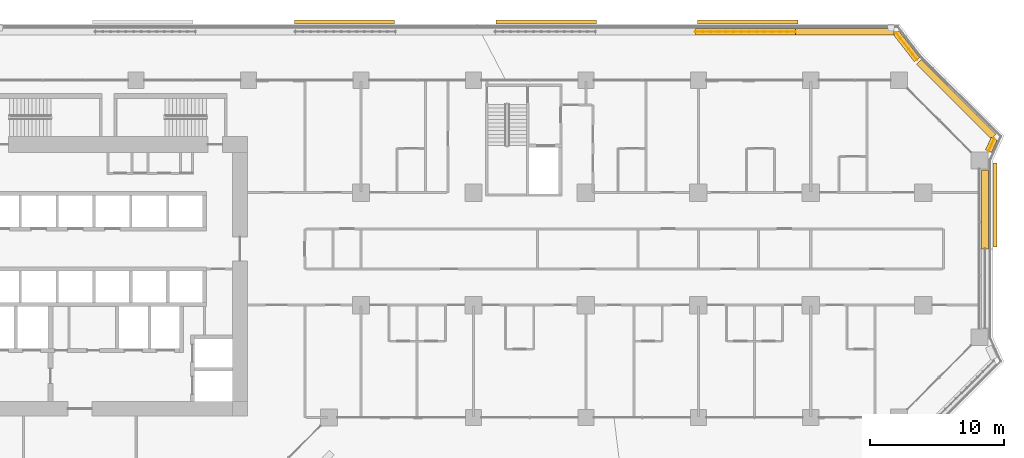
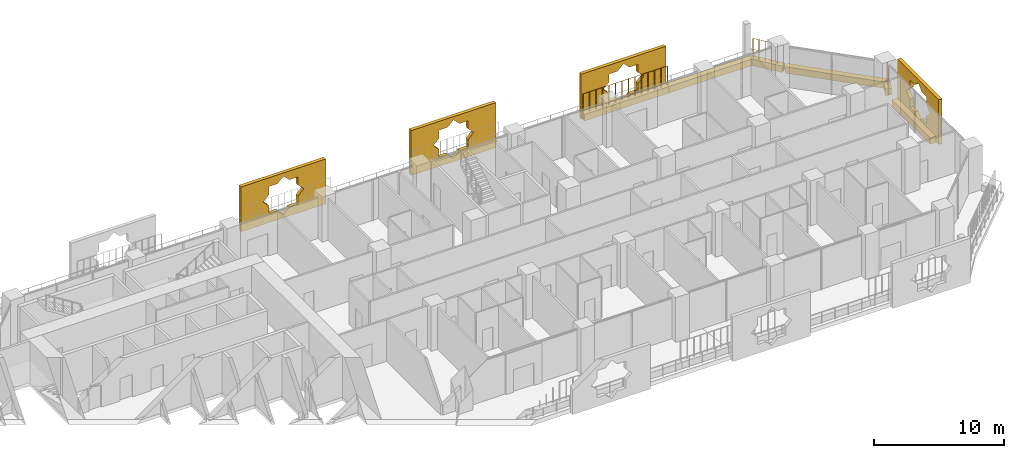
# One storey, part 29 of 29: 10 coverings, 3 railings.
"""IFC4 building model written with IfcOpenShell, lengths in metres."""

from ifc_helpers import new_model, si_unit, direction, frame, origin, origin_2d, place, context, subcontext, project, spatial, polyline, rectangle, circle, outline, extrude, material, material_profile, profile_set, type_object, element, save


model = new_model("IFC4")

# Units and contexts
model_context = context("Model", 3, precision=1e-05, world=origin(), true_north=direction((0.0, 1.0)))
body_context = subcontext(model_context, "Body", "Model", "MODEL_VIEW")
ifc_project = project(units=[si_unit("LENGTHUNIT", "METRE"), si_unit("AREAUNIT", "SQUARE_METRE"), si_unit("VOLUMEUNIT", "CUBIC_METRE"), si_unit("PLANEANGLEUNIT", "RADIAN"), si_unit("MASSUNIT", "GRAM", prefix="KILO")], contexts=[model_context])

# Site, building, storey
site_placement = place(None, origin())
site = spatial("IfcSite", under=ifc_project, at=site_placement, CompositionType="ELEMENT")
building_placement = place(site_placement, origin())
building = spatial("IfcBuilding", under=site, at=building_placement, Name="Kawkab Arch Medical Tower", CompositionType="ELEMENT")
storey_placement = place(building_placement, frame((0.0, 0.0, 64.39990234375)))
storey = spatial("IfcBuildingStorey", under=building, at=storey_placement, Name="L14", CompositionType="ELEMENT", Elevation=64.39990234375)

# Coverings
ifc_material_1 = material(Name="Bronze anodised aluminium mashrabiya panel, eight-point star pattern", Category="aluminium")
ifc_material_profile_1 = material_profile(ifc_material_1, outline(polyline([(-3.14990234375, -2.10009765625), (3.14990234375, -2.10009765625), (3.14990234375, 2.10009765625), (-3.14990234375, 2.10009765625), (-3.14990234375, -2.10009765625)]), holes=[polyline([(1.800048828125, 0.0), (1.272705078125, 0.527099609375), (1.272705078125, 1.272705078125), (0.527099609375, 1.272705078125), (0.0, 1.800048828125), (-0.527099609375, 1.272705078125), (-1.272705078125, 1.272705078125), (-1.272705078125, 0.527099609375), (-1.800048828125, 0.0), (-1.272705078125, -0.527099609375), (-1.272705078125, -1.272705078125), (-0.527099609375, -1.272705078125), (0.0, -1.800048828125), (0.527099609375, -1.272705078125), (1.272705078125, -1.272705078125), (1.272705078125, -0.527099609375), (1.800048828125, 0.0)])]), Name="Mashrabiya panel 6300x4200")
ifc_profile_set_1 = profile_set([ifc_material_profile_1], Name="Bronze anodised aluminium mashrabiya panel, eight-point star pattern")
covering_type_1 = type_object("IfcCoveringType", Name="Mashrabiya panel 6300 x 4200", PredefinedType="USERDEFINED", material=ifc_profile_set_1)
covering_1_placement = place(storey_placement, frame((80.800048828125, -9.31884765625, 1.7001953125), z_axis=(1.0, 0.0, 0.0), x_axis=(0.0, 1.0, 0.0)))
element("IfcCovering", 1, at=covering_1_placement, inside=storey, type_object=covering_type_1, Name="Mashrabiya panel L14.LOG-01-01.10", ObjectType="SCREEN", PredefinedType="USERDEFINED", context=body_context, shape_type="SweptSolid", body=[
    extrude(outline(polyline([(-3.14990234375, -2.10009765625), (3.14990234375, -2.10009765625), (3.14990234375, 2.10009765625), (-3.14990234375, 2.10009765625), (-3.14990234375, -2.10009765625)]), holes=[polyline([(1.800048828125, 0.0), (1.272705078125, 0.527099609375), (1.272705078125, 1.272705078125), (0.527099609375, 1.272705078125), (0.0, 1.800048828125), (-0.527099609375, 1.272705078125), (-1.272705078125, 1.272705078125), (-1.272705078125, 0.527099609375), (-1.800048828125, 0.0), (-1.272705078125, -0.527099609375), (-1.272705078125, -1.272705078125), (-0.527099609375, -1.272705078125), (0.0, -1.800048828125), (0.527099609375, -1.272705078125), (1.272705078125, -1.272705078125), (1.272705078125, -0.527099609375), (1.800048828125, 0.0)])]), origin(), (0.0, 0.0, 1.0), 0.300048828125),
])
ifc_material_2 = material(Name="Bronze anodised aluminium mashrabiya panel, eight-point star pattern", Category="aluminium")
ifc_material_profile_2 = material_profile(ifc_material_2, outline(polyline([(-3.75, -2.10009765625), (3.75, -2.10009765625), (3.75, 2.10009765625), (-3.75, 2.10009765625), (-3.75, -2.10009765625)]), holes=[polyline([(1.800048828125, 0.0), (1.272705078125, 0.527099609375), (1.272705078125, 1.272705078125), (0.527099609375, 1.272705078125), (0.0, 1.800048828125), (-0.527099609375, 1.272705078125), (-1.272705078125, 1.272705078125), (-1.272705078125, 0.527099609375), (-1.800048828125, 0.0), (-1.272705078125, -0.527099609375), (-1.272705078125, -1.272705078125), (-0.527099609375, -1.272705078125), (0.0, -1.800048828125), (0.527099609375, -1.272705078125), (1.272705078125, -1.272705078125), (1.272705078125, -0.527099609375), (1.800048828125, 0.0)])]), Name="Mashrabiya panel 7500x4200")
ifc_profile_set_2 = profile_set([ifc_material_profile_2], Name="Bronze anodised aluminium mashrabiya panel, eight-point star pattern")
covering_type_2 = type_object("IfcCoveringType", Name="Mashrabiya panel 7500 x 4200", PredefinedType="USERDEFINED", material=ifc_profile_set_2)
for number, where, z_axis, x_axis, name in (
    (2, (32.367919921875, 4.199951171875, 1.7001953125), (0.0, 1.0, 0.0), (-1.0, 0.0, 0.0), "Mashrabiya panel L14.LOG-01-01.7"),
    (3, (47.43212890625, 4.199951171875, 1.7001953125), (0.0, 1.0, 0.0), (-1.0, 0.0, 0.0), "Mashrabiya panel L14.LOG-01-01.8"),
    (4, (62.49658203125, 4.199951171875, 1.7001953125), (0.0, 1.0, 0.0), (-1.0, 0.0, 0.0), "Mashrabiya panel L14.LOG-01-01.9"),
):
    element("IfcCovering", number, at=place(storey_placement, frame(where, z_axis=z_axis, x_axis=x_axis)), inside=storey, type_object=covering_type_2, Name=name, ObjectType="SCREEN", PredefinedType="USERDEFINED", context=body_context, shape_type="SweptSolid", body=[
        extrude(outline(polyline([(-3.75, -2.10009765625), (3.75, -2.10009765625), (3.75, 2.10009765625), (-3.75, 2.10009765625), (-3.75, -2.10009765625)]), holes=[polyline([(1.800048828125, 0.0), (1.272705078125, 0.527099609375), (1.272705078125, 1.272705078125), (0.527099609375, 1.272705078125), (0.0, 1.800048828125), (-0.527099609375, 1.272705078125), (-1.272705078125, 1.272705078125), (-1.272705078125, 0.527099609375), (-1.800048828125, 0.0), (-1.272705078125, -0.527099609375), (-1.272705078125, -1.272705078125), (-0.527099609375, -1.272705078125), (0.0, -1.800048828125), (0.527099609375, -1.272705078125), (1.272705078125, -1.272705078125), (1.272705078125, -0.527099609375), (1.800048828125, 0.0)])]), origin(), (0.0, 0.0, 1.0), 0.300048828125),
    ])
ifc_material_3 = material(Name="Planting soil in a precast trough", Category="concrete")
ifc_material_profile_3 = material_profile(ifc_material_3, rectangle(XDim=0.5, YDim=0.60009765625, at=origin_2d()), Name="Trough 500x600")
ifc_profile_set_3 = profile_set([ifc_material_profile_3], Name="Planting soil in a precast trough")
covering_type_3 = type_object("IfcCoveringType", Name="Planter trough 500 x 600", PredefinedType="USERDEFINED", material=ifc_profile_set_3)
covering_2_placement = place(storey_placement, frame((58.575927734375, 3.6201171875, 0.300048828125), z_axis=(1.0, 0.0, 0.0), x_axis=(0.0, 1.0, 0.0)))
element("IfcCovering", 5, at=covering_2_placement, inside=storey, type_object=covering_type_3, Name="Planter L14.LOG-01-01.27", ObjectType="PLANTER", PredefinedType="USERDEFINED", context=body_context, shape_type="SweptSolid", body=[
    extrude(rectangle(XDim=0.5, YDim=0.60009765625, at=origin_2d()), origin(), (0.0, 0.0, 1.0), 7.469970703125),
])
covering_3_placement = place(storey_placement, frame((66.0458984375, 3.6201171875, 0.300048828125), z_axis=(1.0, 0.0, 0.0), x_axis=(0.0, 1.0, 0.0)))
element("IfcCovering", 6, at=covering_3_placement, inside=storey, type_object=covering_type_3, Name="Planter L14.LOG-01-01.28", ObjectType="PLANTER", PredefinedType="USERDEFINED", context=body_context, shape_type="SweptSolid", body=[
    extrude(rectangle(XDim=0.5, YDim=0.60009765625, at=origin_2d()), origin(), (0.0, 0.0, 1.0), 7.3701171875),
])
covering_4_placement = place(storey_placement, frame((73.577880859375, 3.541015625, 0.300048828125), z_axis=(0.614099956103, -0.789228258436, 0.0), x_axis=(0.789228258436, 0.614099956103, 0.0)))
element("IfcCovering", 7, at=covering_4_placement, inside=storey, type_object=covering_type_3, Name="Planter L14.LOG-01-01.29", ObjectType="PLANTER", PredefinedType="USERDEFINED", context=body_context, shape_type="SweptSolid", body=[
    extrude(rectangle(XDim=0.5, YDim=0.60009765625, at=origin_2d()), origin(), (0.0, 0.0, 1.0), 2.545654296875),
])
covering_5_placement = place(storey_placement, frame((75.27294921875, 1.383056640625, 0.300048828125), z_axis=(0.707106781187, -0.707106781187, 0.0), x_axis=(0.707106781187, 0.707106781187, 0.0)))
element("IfcCovering", 8, at=covering_5_placement, inside=storey, type_object=covering_type_3, Name="Planter L14.LOG-01-01.30", ObjectType="PLANTER", PredefinedType="USERDEFINED", context=body_context, shape_type="SweptSolid", body=[
    extrude(rectangle(XDim=0.5, YDim=0.60009765625, at=origin_2d()), origin(), (0.0, 0.0, 1.0), 7.919677734375),
])
covering_6_placement = place(storey_placement, frame((80.902099609375, -4.37890625, 0.300048828125), z_axis=(-0.415071571878, -0.909788761317, 0.0), x_axis=(0.909788761317, -0.415071571878, 0.0)))
element("IfcCovering", 9, at=covering_6_placement, inside=storey, type_object=covering_type_3, Name="Planter L14.LOG-01-01.31", ObjectType="PLANTER", PredefinedType="USERDEFINED", context=body_context, shape_type="SweptSolid", body=[
    extrude(rectangle(XDim=0.5, YDim=0.60009765625, at=origin_2d()), origin(), (0.0, 0.0, 1.0), 1.0146484375),
])
covering_7_placement = place(storey_placement, frame((80.219970703125, -6.705078125, 0.300048828125), z_axis=(0.0, -1.0, 0.0), x_axis=(1.0, 0.0, 0.0)))
element("IfcCovering", 10, at=covering_7_placement, inside=storey, type_object=covering_type_3, Name="Planter L14.LOG-01-01.32", ObjectType="PLANTER", PredefinedType="USERDEFINED", context=body_context, shape_type="SweptSolid", body=[
    extrude(rectangle(XDim=0.5, YDim=0.60009765625, at=origin_2d()), origin(), (0.0, 0.0, 1.0), 5.89501953125),
])

# Railings
ifc_material_4 = material(Name="Bronze anodised aluminium trellis for climbing plants", Category="aluminium")
railing_type = type_object("IfcRailingType", Name="Planting trellis 2400", PredefinedType="USERDEFINED", material=ifc_material_4)
railing_1_placement = place(storey_placement, frame((58.575927734375, 3.6201171875, 0.0)))
element("IfcRailing", 11, at=railing_1_placement, inside=storey, type_object=railing_type, Name="Planting trellis L14.LOG-01-01.27", ObjectType="TRELLIS", PredefinedType="USERDEFINED", context=body_context, shape_type="SweptSolid", body=[
    extrude(circle(Radius=0.01513671875, at=origin_2d()), frame((0.0, 0.0, 2.384765625), z_axis=(1.0, 0.0, 0.0), x_axis=(0.0, 1.0, 0.0)), (0.0, 0.0, 1.0), 7.469970703125),
    extrude(circle(Radius=0.030029296875, at=origin_2d()), origin(), (0.0, 0.0, 1.0), 2.369873046875),
    extrude(circle(Radius=0.030029296875, at=origin_2d()), frame((0.57470703125, 0.0, 0.0)), (0.0, 0.0, 1.0), 2.369873046875),
    extrude(circle(Radius=0.030029296875, at=origin_2d()), frame((1.149169921875, 0.0, 0.0)), (0.0, 0.0, 1.0), 2.369873046875),
    extrude(circle(Radius=0.030029296875, at=origin_2d()), frame((1.723876953125, 0.0, 0.0)), (0.0, 0.0, 1.0), 2.369873046875),
    extrude(circle(Radius=0.030029296875, at=origin_2d()), frame((2.29833984375, 0.0, 0.0)), (0.0, 0.0, 1.0), 2.369873046875),
    extrude(circle(Radius=0.030029296875, at=origin_2d()), frame((2.873046875, 0.0, 0.0)), (0.0, 0.0, 1.0), 2.369873046875),
    extrude(circle(Radius=0.030029296875, at=origin_2d()), frame((3.44775390625, 0.0, 0.0)), (0.0, 0.0, 1.0), 2.369873046875),
    extrude(circle(Radius=0.030029296875, at=origin_2d()), frame((4.022216796875, 0.0, 0.0)), (0.0, 0.0, 1.0), 2.369873046875),
    extrude(circle(Radius=0.030029296875, at=origin_2d()), frame((4.596923828125, 0.0, 0.0)), (0.0, 0.0, 1.0), 2.369873046875),
    extrude(circle(Radius=0.030029296875, at=origin_2d()), frame((5.171630859375, 0.0, 0.0)), (0.0, 0.0, 1.0), 2.369873046875),
    extrude(circle(Radius=0.030029296875, at=origin_2d()), frame((5.74609375, 0.0, 0.0)), (0.0, 0.0, 1.0), 2.369873046875),
    extrude(circle(Radius=0.030029296875, at=origin_2d()), frame((6.32080078125, 0.0, 0.0)), (0.0, 0.0, 1.0), 2.369873046875),
    extrude(circle(Radius=0.030029296875, at=origin_2d()), frame((6.895263671875, 0.0, 0.0)), (0.0, 0.0, 1.0), 2.369873046875),
    extrude(circle(Radius=0.030029296875, at=origin_2d()), frame((7.469970703125, 0.0, 0.0)), (0.0, 0.0, 1.0), 2.369873046875),
])
railing_2_placement = place(storey_placement, frame((73.577880859375, 3.541015625, 0.0)))
element("IfcRailing", 12, at=railing_2_placement, inside=storey, type_object=railing_type, Name="Planting trellis L14.LOG-01-01.29", ObjectType="TRELLIS", PredefinedType="USERDEFINED", context=body_context, shape_type="SweptSolid", body=[
    extrude(circle(Radius=0.01513671875, at=origin_2d()), frame((0.0, 0.0, 2.384765625), z_axis=(0.614099956103, -0.789228258436, 0.0), x_axis=(0.789228258436, 0.614099956103, 0.0)), (0.0, 0.0, 1.0), 2.545654296875),
    extrude(circle(Radius=0.030029296875, at=origin_2d()), origin(), (0.0, 0.0, 1.0), 2.369873046875),
    extrude(circle(Radius=0.030029296875, at=origin_2d()), frame((0.312744140625, -0.40185546875, 0.0)), (0.0, 0.0, 1.0), 2.369873046875),
    extrude(circle(Radius=0.030029296875, at=origin_2d()), frame((0.625244140625, -0.8037109375, 0.0)), (0.0, 0.0, 1.0), 2.369873046875),
    extrude(circle(Radius=0.030029296875, at=origin_2d()), frame((0.93798828125, -1.205322265625, 0.0)), (0.0, 0.0, 1.0), 2.369873046875),
    extrude(circle(Radius=0.030029296875, at=origin_2d()), frame((1.25048828125, -1.607177734375, 0.0)), (0.0, 0.0, 1.0), 2.369873046875),
    extrude(circle(Radius=0.030029296875, at=origin_2d()), frame((1.563232421875, -2.009033203125, 0.0)), (0.0, 0.0, 1.0), 2.369873046875),
])
railing_3_placement = place(storey_placement, frame((80.902099609375, -4.37890625, 0.0)))
element("IfcRailing", 13, at=railing_3_placement, inside=storey, type_object=railing_type, Name="Planting trellis L14.LOG-01-01.31", ObjectType="TRELLIS", PredefinedType="USERDEFINED", context=body_context, shape_type="SweptSolid", body=[
    extrude(circle(Radius=0.01513671875, at=origin_2d()), frame((0.0, 0.0, 2.384765625), z_axis=(-0.415071571878, -0.909788761317, 0.0), x_axis=(0.909788761317, -0.415071571878, 0.0)), (0.0, 0.0, 1.0), 1.0146484375),
    extrude(circle(Radius=0.030029296875, at=origin_2d()), origin(), (0.0, 0.0, 1.0), 2.369873046875),
    extrude(circle(Radius=0.030029296875, at=origin_2d()), frame((-0.21044921875, -0.46142578125, 0.0)), (0.0, 0.0, 1.0), 2.369873046875),
    extrude(circle(Radius=0.030029296875, at=origin_2d()), frame((-0.421142578125, -0.923095703125, 0.0)), (0.0, 0.0, 1.0), 2.369873046875),
])

save(model, "model.ifc")
